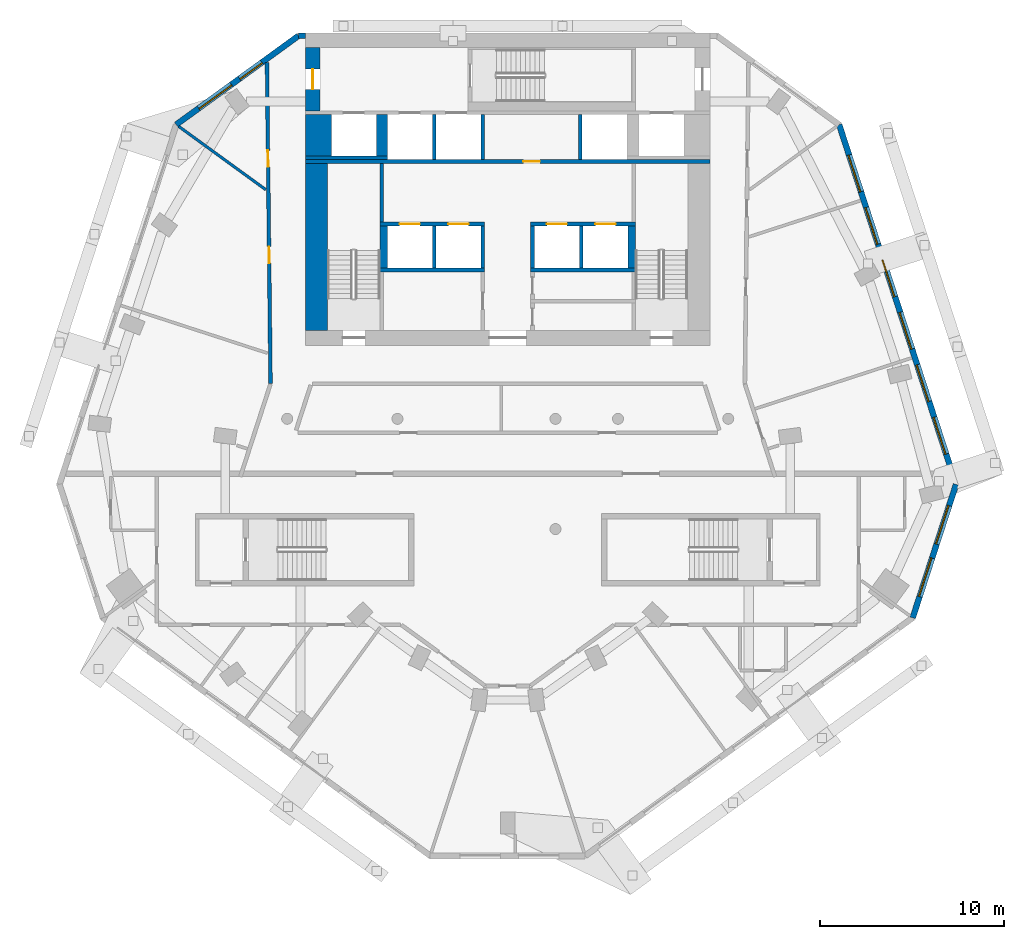
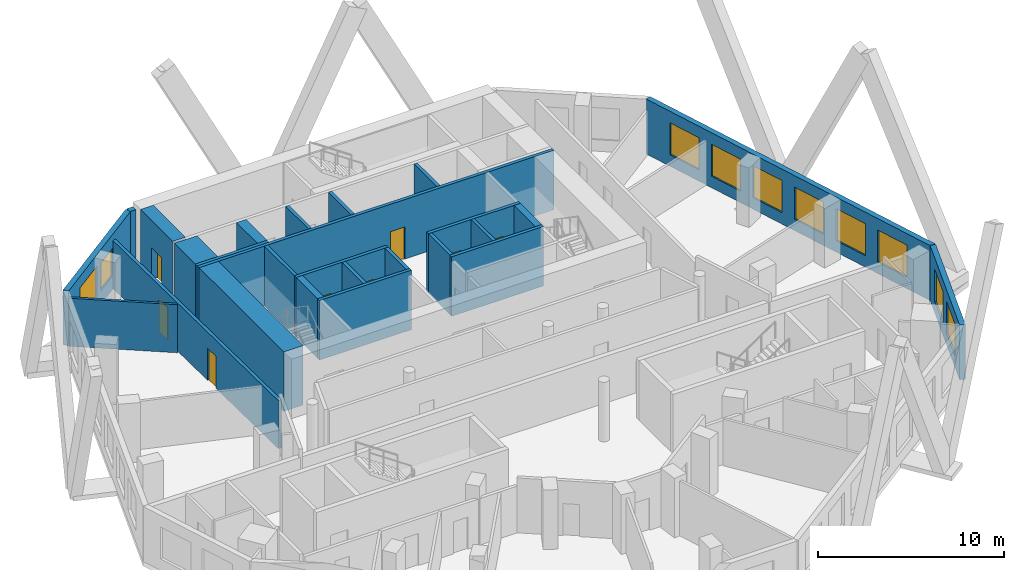
# One storey, part 6 of 10: 26 walls, 10 windows, 8 doors, 18 openings.
"""IFC4 building model written with IfcOpenShell, lengths in metres."""

from ifc_helpers import new_model, si_unit, direction, frame, frame_2d, origin, place, context, subcontext, project, spatial, rectangle, extrude, material, layer, layer_set, type_object, element, fill, save


model = new_model("IFC4")

# Units and contexts
model_context = context("Model", 3, precision=1e-05, world=origin(), true_north=direction((0.0, 1.0)))
body_context = subcontext(model_context, "Body", "Model", "MODEL_VIEW")
ifc_project = project(units=[si_unit("LENGTHUNIT", "METRE"), si_unit("AREAUNIT", "SQUARE_METRE"), si_unit("VOLUMEUNIT", "CUBIC_METRE"), si_unit("PLANEANGLEUNIT", "RADIAN"), si_unit("MASSUNIT", "GRAM", prefix="KILO")], contexts=[model_context])

# Site, building, storey
site_placement = place(None, origin())
site = spatial("IfcSite", under=ifc_project, at=site_placement, CompositionType="ELEMENT")
building_placement = place(site_placement, origin())
building = spatial("IfcBuilding", under=site, at=building_placement, Name="White Candle Pilgrim Tower", CompositionType="ELEMENT")
storey_placement = place(building_placement, frame((0.0, 0.0, 219.89990234375)))
storey = spatial("IfcBuildingStorey", under=building, at=storey_placement, Name="L51", CompositionType="ELEMENT", Elevation=219.89990234375)

# Walls
ifc_material_1 = material(Name="Concrete C50/60", Category="concrete")
ifc_layer_1 = layer(ifc_material_1, 1.39990234375)
ifc_layer_set_1 = layer_set([ifc_layer_1], Name="Core wall 1400 mm Concrete C50/60")
wall_type_1 = type_object("IfcWallType", Name="Core wall 1400 mm Concrete C50/60", PredefinedType="SHEAR", material=ifc_layer_set_1)
wall_1_placement = place(storey_placement, frame((59.699951171875, 81.300048828125, 0.0), z_axis=(0.0, 0.0, 1.0), x_axis=(0.0, 1.0, 0.0)))
element("IfcWall", 1, at=wall_1_placement, inside=storey, type_object=wall_type_1, Name="WL-L51-C39", PredefinedType="SHEAR", context=body_context, shape_type="SweptSolid", body=[
    extrude(rectangle(XDim=2.25, YDim=1.39990234375, at=frame_2d((1.125, 0.0))), origin(), (0.0, 0.0, 1.0), 3.900146484375),
])
ifc_layer_2 = layer(ifc_material_1, 0.199951171875)
ifc_layer_set_2 = layer_set([ifc_layer_2], Name="Core wall 200 mm Concrete C50/60")
wall_type_2 = type_object("IfcWallType", Name="Core wall 200 mm Concrete C50/60", PredefinedType="SHEAR", material=ifc_layer_set_2)
wall_2_placement = place(storey_placement, frame((59.0, 81.199951171875, 0.0), z_axis=(0.0, 0.0, 1.0), x_axis=(1.0, 0.0, 0.0)))
element("IfcWall", 2, at=wall_2_placement, inside=storey, type_object=wall_type_2, Name="WL-L51-C34", PredefinedType="SHEAR", context=body_context, shape_type="SweptSolid", body=[
    extrude(rectangle(XDim=4.449951171875, YDim=0.199951171875, at=frame_2d((2.22509765625, 0.0))), origin(), (0.0, 0.0, 1.0), 3.900146484375),
])

# Wall, opening, door
ifc_layer_3 = layer(ifc_material_1, 0.800048828125)
ifc_layer_set_3 = layer_set([ifc_layer_3], Name="Core wall 800 mm Concrete C50/60")
wall_type_3 = type_object("IfcWallType", Name="Core wall 800 mm Concrete C50/60", PredefinedType="SHEAR", material=ifc_layer_set_3)
wall_3_placement = place(storey_placement, frame((59.39990234375, 83.75, 0.0), z_axis=(0.0, 0.0, 1.0), x_axis=(0.0, 1.0, 0.0)))
wall_3 = element("IfcWall", 3, at=wall_3_placement, inside=storey, type_object=wall_type_3, Name="WL-L51-C44", PredefinedType="SHEAR", context=body_context, shape_type="SweptSolid", body=[
    extrude(rectangle(XDim=3.449951171875, YDim=0.800048828125, at=frame_2d((1.72509765625, 0.0))), origin(), (0.0, 0.0, 1.0), 3.900146484375),
])
opening_1_placement = place(wall_3_placement, frame((1.175048828125, 0.0, 0.0)))
opening_1 = element("IfcOpeningElement", 4, at=opening_1_placement, cuts=wall_3, Name="Opening T16-008", PredefinedType="OPENING", context=body_context, shape_type="SweptSolid", body=[
    extrude(rectangle(XDim=1.10009765625, YDim=2.10009765625, at=frame_2d((0.550048828125, 1.050048828125))), frame((0.0, 0.409912109375, 0.0), z_axis=(0.0, -1.0, 0.0), x_axis=(1.0, 0.0, 0.0)), (0.0, 0.0, 1.0), 0.820068359375),
])
ifc_material_2 = material(Name="Steel door leaf", Category="steel")
door_type_1 = type_object("IfcDoorType", Name="Fire door 1100 x 2100 EI 60", OperationType="NOTDEFINED", PredefinedType="DOOR", material=ifc_material_2)
door_1_placement = place(opening_1_placement, origin())
door_1 = element("IfcDoor", 5, at=door_1_placement, inside=storey, type_object=door_type_1, Name="Door T16-008", OperationType="SINGLE_SWING_RIGHT", OverallHeight=2.10009765625, OverallWidth=1.10009765625, PredefinedType="DOOR", context=body_context, shape_type="SweptSolid", body=[
    extrude(rectangle(XDim=1.10009765625, YDim=2.10009765625, at=frame_2d((0.550048828125, 1.050048828125))), frame((0.0, 0.02490234375, 0.0), z_axis=(0.0, -1.0, 0.0), x_axis=(1.0, 0.0, 0.0)), (0.0, 0.0, 1.0), 0.050048828125),
])
fill(opening_1, door_1)

# Wall, openings, doors
ifc_material_3 = material(Name="Gypsum board on steel studs", Category="steel")
ifc_layer_4 = layer(ifc_material_3, 0.199951171875)
ifc_layer_set_4 = layer_set([ifc_layer_4], Name="Corridor wall 200 mm EI 45")
wall_type_4 = type_object("IfcWallType", Name="Corridor wall 200 mm EI 45", PredefinedType="PARTITIONING", material=ifc_layer_set_4)
wall_4_placement = place(storey_placement, frame((57.094970703125, 68.91650390625, 0.0), z_axis=(0.0, 0.0, 1.0), x_axis=(-0.011158990621, 0.999937736526, 0.0)))
wall_4 = element("IfcWall", 6, at=wall_4_placement, inside=storey, type_object=wall_type_4, Name="WL-L51-P003", PredefinedType="PARTITIONING", context=body_context, shape_type="SweptSolid", body=[
    extrude(rectangle(XDim=17.480712890625, YDim=0.199951171875, at=frame_2d((8.740234375, 0.0))), origin(), (0.0, 0.0, 1.0), 3.150146484375),
])
opening_2_placement = place(wall_4_placement, frame((6.55224609375, 0.0, 0.0)))
opening_2 = element("IfcOpeningElement", 7, at=opening_2_placement, cuts=wall_4, Name="Opening T16-118", PredefinedType="OPENING", context=body_context, shape_type="SweptSolid", body=[
    extrude(rectangle(XDim=0.89990234375, YDim=2.10009765625, at=frame_2d((0.449951171875, 1.050048828125))), frame((0.0, 0.10986328125, 0.0), z_axis=(0.0, -1.0, 0.0), x_axis=(1.0, 0.0, 0.0)), (0.0, 0.0, 1.0), 0.219970703125),
])
opening_3_placement = place(wall_4_placement, frame((11.78662109375, 0.0, 0.0)))
opening_3 = element("IfcOpeningElement", 8, at=opening_3_placement, cuts=wall_4, Name="Opening T16-119", PredefinedType="OPENING", context=body_context, shape_type="SweptSolid", body=[
    extrude(rectangle(XDim=0.89990234375, YDim=2.10009765625, at=frame_2d((0.449951171875, 1.050048828125))), frame((0.0, 0.10986328125, 0.0), z_axis=(0.0, -1.0, 0.0), x_axis=(1.0, 0.0, 0.0)), (0.0, 0.0, 1.0), 0.219970703125),
])
door_type_2 = type_object("IfcDoorType", Name="Fire door 900 x 2100 EI 30", OperationType="NOTDEFINED", PredefinedType="DOOR", material=ifc_material_2)
door_2_placement = place(opening_2_placement, origin())
door_2 = element("IfcDoor", 9, at=door_2_placement, inside=storey, type_object=door_type_2, Name="Door T16-118", OperationType="SINGLE_SWING_RIGHT", OverallHeight=2.10009765625, OverallWidth=0.89990234375, PredefinedType="DOOR", context=body_context, shape_type="SweptSolid", body=[
    extrude(rectangle(XDim=0.89990234375, YDim=2.10009765625, at=frame_2d((0.449951171875, 1.050048828125))), frame((0.0, 0.02490234375, 0.0), z_axis=(0.0, -1.0, 0.0), x_axis=(1.0, 0.0, 0.0)), (0.0, 0.0, 1.0), 0.050048828125),
])
fill(opening_2, door_2)
door_3_placement = place(opening_3_placement, origin())
door_3 = element("IfcDoor", 10, at=door_3_placement, inside=storey, type_object=door_type_2, Name="Door T16-119", OperationType="SINGLE_SWING_LEFT", OverallHeight=2.10009765625, OverallWidth=0.89990234375, PredefinedType="DOOR", context=body_context, shape_type="SweptSolid", body=[
    extrude(rectangle(XDim=0.89990234375, YDim=2.10009765625, at=frame_2d((0.449951171875, 1.050048828125))), frame((0.0, 0.02490234375, 0.0), z_axis=(0.0, -1.0, 0.0), x_axis=(1.0, 0.0, 0.0)), (0.0, 0.0, 1.0), 0.050048828125),
])
fill(opening_3, door_3)

# Wall, openings, windows
ifc_material_4 = material(Name="Precast concrete C40/50", Category="concrete")
ifc_layer_5 = layer(ifc_material_4, 0.320068359375)
ifc_layer_set_5 = layer_set([ifc_layer_5], Name="Facade wall EW1 precast concrete C40/50 pier wall with timber-lined reveals")
wall_type_5 = type_object("IfcWallType", Name="Facade wall EW1 precast concrete C40/50 pier wall with timber-lined reveals", PredefinedType="SOLIDWALL", material=ifc_layer_set_5)
wall_5_placement = place(storey_placement, frame((92.036865234375, 56.167724609375, 0.0), z_axis=(0.0, 0.0, 1.0), x_axis=(0.308997893913, 0.951062722199, 0.0)))
wall_5 = element("IfcWall", 11, at=wall_5_placement, inside=storey, type_object=wall_type_5, Name="Facade wall L51 E chamfer", PredefinedType="SOLIDWALL", context=body_context, shape_type="SweptSolid", body=[
    extrude(rectangle(XDim=7.637939453125, YDim=0.320068359375, at=frame_2d((3.81884765625, 0.0))), origin(), (0.0, 0.0, 1.0), 3.60009765625),
])
opening_4_placement = place(wall_5_placement, frame((1.218994140625, 0.0, 0.75)))
opening_4 = element("IfcOpeningElement", 12, at=opening_4_placement, cuts=wall_5, Name="Opening W4", PredefinedType="OPENING", context=body_context, shape_type="SweptSolid", body=[
    extrude(rectangle(XDim=2.199951171875, YDim=2.10009765625, at=frame_2d((1.10009765625, 1.050048828125))), frame((0.0, 0.169921875, 0.0), z_axis=(0.0, -1.0, 0.0), x_axis=(1.0, 0.0, 0.0)), (0.0, 0.0, 1.0), 0.340087890625),
])
opening_5_placement = place(wall_5_placement, frame((4.218994140625, 0.0, 0.75)))
opening_5 = element("IfcOpeningElement", 13, at=opening_5_placement, cuts=wall_5, Name="Opening W4", PredefinedType="OPENING", context=body_context, shape_type="SweptSolid", body=[
    extrude(rectangle(XDim=2.199951171875, YDim=2.10009765625, at=frame_2d((1.10009765625, 1.050048828125))), frame((0.0, 0.169921875, 0.0), z_axis=(0.0, -1.0, 0.0), x_axis=(1.0, 0.0, 0.0)), (0.0, 0.0, 1.0), 0.340087890625),
])
ifc_material_5 = material(Name="Timber frame with triple glazing", Category="wood")
window_type_1 = type_object("IfcWindowType", Name="Window W4 2200x2100 timber frame triple glazing", PartitioningType="SINGLE_PANEL", PredefinedType="WINDOW", material=ifc_material_5)
window_1_placement = place(opening_4_placement, origin())
window_1 = element("IfcWindow", 14, at=window_1_placement, inside=storey, type_object=window_type_1, Name="Window W4 L51 E chamfer 1", OverallHeight=2.10009765625, OverallWidth=2.199951171875, PartitioningType="SINGLE_PANEL", PredefinedType="WINDOW", context=body_context, shape_type="SweptSolid", body=[
    extrude(rectangle(XDim=2.199951171875, YDim=2.10009765625, at=frame_2d((1.10009765625, 1.050048828125))), frame((0.0, 0.070068359375, 0.0), z_axis=(0.0, -1.0, 0.0), x_axis=(1.0, 0.0, 0.0)), (0.0, 0.0, 1.0), 0.06005859375),
])
fill(opening_4, window_1)
window_2_placement = place(opening_5_placement, origin())
window_2 = element("IfcWindow", 15, at=window_2_placement, inside=storey, type_object=window_type_1, Name="Window W4 L51 E chamfer 2", OverallHeight=2.10009765625, OverallWidth=2.199951171875, PartitioningType="SINGLE_PANEL", PredefinedType="WINDOW", context=body_context, shape_type="SweptSolid", body=[
    extrude(rectangle(XDim=2.199951171875, YDim=2.10009765625, at=frame_2d((1.10009765625, 1.050048828125))), frame((0.0, 0.070068359375, 0.0), z_axis=(0.0, -1.0, 0.0), x_axis=(1.0, 0.0, 0.0)), (0.0, 0.0, 1.0), 0.06005859375),
])
fill(opening_5, window_2)

wall_6_placement = place(storey_placement, frame((94.39697265625, 63.431884765625, 0.0), z_axis=(0.0, 0.0, 1.0), x_axis=(-0.309012851328, 0.951057862443, 0.0)))
wall_6 = element("IfcWall", 16, at=wall_6_placement, inside=storey, type_object=wall_type_5, Name="Facade wall L51 ENE", PredefinedType="SOLIDWALL", context=body_context, shape_type="SweptSolid", body=[
    extrude(rectangle(XDim=20.582763671875, YDim=0.320068359375, at=frame_2d((10.29150390625, 0.0))), origin(), (0.0, 0.0, 1.0), 3.60009765625),
])
opening_6_placement = place(wall_6_placement, frame((1.741455078125, 0.0, 0.75)))
opening_6 = element("IfcOpeningElement", 17, at=opening_6_placement, cuts=wall_6, Name="Opening W3", PredefinedType="OPENING", context=body_context, shape_type="SweptSolid", body=[
    extrude(rectangle(XDim=2.10009765625, YDim=2.10009765625, at=frame_2d((1.050048828125, 1.050048828125))), frame((0.0, 0.169921875, 0.0), z_axis=(0.0, -1.0, 0.0), x_axis=(1.0, 0.0, 0.0)), (0.0, 0.0, 1.0), 0.340087890625),
])
opening_7_placement = place(wall_6_placement, frame((4.741455078125, 0.0, 0.75)))
opening_7 = element("IfcOpeningElement", 18, at=opening_7_placement, cuts=wall_6, Name="Opening W3", PredefinedType="OPENING", context=body_context, shape_type="SweptSolid", body=[
    extrude(rectangle(XDim=2.10009765625, YDim=2.10009765625, at=frame_2d((1.050048828125, 1.050048828125))), frame((0.0, 0.169921875, 0.0), z_axis=(0.0, -1.0, 0.0), x_axis=(1.0, 0.0, 0.0)), (0.0, 0.0, 1.0), 0.340087890625),
])
opening_8_placement = place(wall_6_placement, frame((7.741455078125, 0.0, 0.75)))
opening_8 = element("IfcOpeningElement", 19, at=opening_8_placement, cuts=wall_6, Name="Opening W3", PredefinedType="OPENING", context=body_context, shape_type="SweptSolid", body=[
    extrude(rectangle(XDim=2.10009765625, YDim=2.10009765625, at=frame_2d((1.050048828125, 1.050048828125))), frame((0.0, 0.169921875, 0.0), z_axis=(0.0, -1.0, 0.0), x_axis=(1.0, 0.0, 0.0)), (0.0, 0.0, 1.0), 0.340087890625),
])
opening_9_placement = place(wall_6_placement, frame((10.741455078125, 0.0, 0.75)))
opening_9 = element("IfcOpeningElement", 20, at=opening_9_placement, cuts=wall_6, Name="Opening W3", PredefinedType="OPENING", context=body_context, shape_type="SweptSolid", body=[
    extrude(rectangle(XDim=2.10009765625, YDim=2.10009765625, at=frame_2d((1.050048828125, 1.050048828125))), frame((0.0, 0.169921875, 0.0), z_axis=(0.0, -1.0, 0.0), x_axis=(1.0, 0.0, 0.0)), (0.0, 0.0, 1.0), 0.340087890625),
])
opening_10_placement = place(wall_6_placement, frame((13.741455078125, 0.0, 0.75)))
opening_10 = element("IfcOpeningElement", 21, at=opening_10_placement, cuts=wall_6, Name="Opening W3", PredefinedType="OPENING", context=body_context, shape_type="SweptSolid", body=[
    extrude(rectangle(XDim=2.10009765625, YDim=2.10009765625, at=frame_2d((1.050048828125, 1.050048828125))), frame((0.0, 0.169921875, 0.0), z_axis=(0.0, -1.0, 0.0), x_axis=(1.0, 0.0, 0.0)), (0.0, 0.0, 1.0), 0.340087890625),
])
opening_11_placement = place(wall_6_placement, frame((16.741455078125, 0.0, 0.75)))
opening_11 = element("IfcOpeningElement", 22, at=opening_11_placement, cuts=wall_6, Name="Opening W3", PredefinedType="OPENING", context=body_context, shape_type="SweptSolid", body=[
    extrude(rectangle(XDim=2.10009765625, YDim=2.10009765625, at=frame_2d((1.050048828125, 1.050048828125))), frame((0.0, 0.169921875, 0.0), z_axis=(0.0, -1.0, 0.0), x_axis=(1.0, 0.0, 0.0)), (0.0, 0.0, 1.0), 0.340087890625),
])
window_type_2 = type_object("IfcWindowType", Name="Window W3 2100x2100 timber frame triple glazing", PartitioningType="SINGLE_PANEL", PredefinedType="WINDOW", material=ifc_material_5)
window_3_placement = place(opening_6_placement, origin())
window_3 = element("IfcWindow", 23, at=window_3_placement, inside=storey, type_object=window_type_2, Name="Window W3 L51 ENE 1", OverallHeight=2.10009765625, OverallWidth=2.10009765625, PartitioningType="SINGLE_PANEL", PredefinedType="WINDOW", context=body_context, shape_type="SweptSolid", body=[
    extrude(rectangle(XDim=2.10009765625, YDim=2.10009765625, at=frame_2d((1.050048828125, 1.050048828125))), frame((0.0, 0.070068359375, 0.0), z_axis=(0.0, -1.0, 0.0), x_axis=(1.0, 0.0, 0.0)), (0.0, 0.0, 1.0), 0.06005859375),
])
fill(opening_6, window_3)
window_4_placement = place(opening_7_placement, origin())
window_4 = element("IfcWindow", 24, at=window_4_placement, inside=storey, type_object=window_type_2, Name="Window W3 L51 ENE 2", OverallHeight=2.10009765625, OverallWidth=2.10009765625, PartitioningType="SINGLE_PANEL", PredefinedType="WINDOW", context=body_context, shape_type="SweptSolid", body=[
    extrude(rectangle(XDim=2.10009765625, YDim=2.10009765625, at=frame_2d((1.050048828125, 1.050048828125))), frame((0.0, 0.070068359375, 0.0), z_axis=(0.0, -1.0, 0.0), x_axis=(1.0, 0.0, 0.0)), (0.0, 0.0, 1.0), 0.06005859375),
])
fill(opening_7, window_4)
window_5_placement = place(opening_8_placement, origin())
window_5 = element("IfcWindow", 25, at=window_5_placement, inside=storey, type_object=window_type_2, Name="Window W3 L51 ENE 3", OverallHeight=2.10009765625, OverallWidth=2.10009765625, PartitioningType="SINGLE_PANEL", PredefinedType="WINDOW", context=body_context, shape_type="SweptSolid", body=[
    extrude(rectangle(XDim=2.10009765625, YDim=2.10009765625, at=frame_2d((1.050048828125, 1.050048828125))), frame((0.0, 0.070068359375, 0.0), z_axis=(0.0, -1.0, 0.0), x_axis=(1.0, 0.0, 0.0)), (0.0, 0.0, 1.0), 0.06005859375),
])
fill(opening_8, window_5)
window_6_placement = place(opening_9_placement, origin())
window_6 = element("IfcWindow", 26, at=window_6_placement, inside=storey, type_object=window_type_2, Name="Window W3 L51 ENE 4", OverallHeight=2.10009765625, OverallWidth=2.10009765625, PartitioningType="SINGLE_PANEL", PredefinedType="WINDOW", context=body_context, shape_type="SweptSolid", body=[
    extrude(rectangle(XDim=2.10009765625, YDim=2.10009765625, at=frame_2d((1.050048828125, 1.050048828125))), frame((0.0, 0.070068359375, 0.0), z_axis=(0.0, -1.0, 0.0), x_axis=(1.0, 0.0, 0.0)), (0.0, 0.0, 1.0), 0.06005859375),
])
fill(opening_9, window_6)
window_7_placement = place(opening_10_placement, origin())
window_7 = element("IfcWindow", 27, at=window_7_placement, inside=storey, type_object=window_type_2, Name="Window W3 L51 ENE 5", OverallHeight=2.10009765625, OverallWidth=2.10009765625, PartitioningType="SINGLE_PANEL", PredefinedType="WINDOW", context=body_context, shape_type="SweptSolid", body=[
    extrude(rectangle(XDim=2.10009765625, YDim=2.10009765625, at=frame_2d((1.050048828125, 1.050048828125))), frame((0.0, 0.070068359375, 0.0), z_axis=(0.0, -1.0, 0.0), x_axis=(1.0, 0.0, 0.0)), (0.0, 0.0, 1.0), 0.06005859375),
])
fill(opening_10, window_7)
window_8_placement = place(opening_11_placement, origin())
window_8 = element("IfcWindow", 28, at=window_8_placement, inside=storey, type_object=window_type_2, Name="Window W3 L51 ENE 6", OverallHeight=2.10009765625, OverallWidth=2.10009765625, PartitioningType="SINGLE_PANEL", PredefinedType="WINDOW", context=body_context, shape_type="SweptSolid", body=[
    extrude(rectangle(XDim=2.10009765625, YDim=2.10009765625, at=frame_2d((1.050048828125, 1.050048828125))), frame((0.0, 0.070068359375, 0.0), z_axis=(0.0, -1.0, 0.0), x_axis=(1.0, 0.0, 0.0)), (0.0, 0.0, 1.0), 0.06005859375),
])
fill(opening_11, window_8)

# Wall
wall_7_placement = place(storey_placement, frame((59.0, 87.840087890625, 0.0), z_axis=(0.0, 0.0, 1.0), x_axis=(-1.0, 0.0, 0.0)))
element("IfcWall", 29, at=wall_7_placement, inside=storey, type_object=wall_type_5, Name="Facade wall L51 N", PredefinedType="SOLIDWALL", context=body_context, shape_type="SweptSolid", body=[
    extrude(rectangle(XDim=0.385009765625, YDim=0.320068359375, at=frame_2d((0.1923828125, 0.0))), origin(), (0.0, 0.0, 1.0), 3.60009765625),
])

# Wall, openings, windows
wall_8_placement = place(storey_placement, frame((58.614990234375, 87.840087890625, 0.0), z_axis=(0.0, 0.0, 1.0), x_axis=(-0.809012068833, -0.587792031659, 0.0)))
wall_8 = element("IfcWall", 30, at=wall_8_placement, inside=storey, type_object=wall_type_5, Name="Facade wall L51 NW chamfer", PredefinedType="SOLIDWALL", context=body_context, shape_type="SweptSolid", body=[
    extrude(rectangle(XDim=8.221923828125, YDim=0.320068359375, at=frame_2d((4.11083984375, 0.0))), origin(), (0.0, 0.0, 1.0), 3.60009765625),
])
opening_12_placement = place(wall_8_placement, frame((2.459716796875, 0.0, 0.89990234375)))
opening_12 = element("IfcOpeningElement", 31, at=opening_12_placement, cuts=wall_8, Name="Opening W1", PredefinedType="OPENING", context=body_context, shape_type="SweptSolid", body=[
    extrude(rectangle(XDim=1.5, YDim=1.800048828125, at=frame_2d((0.75, 0.89990234375))), frame((0.0, 0.169921875, 0.0), z_axis=(0.0, -1.0, 0.0), x_axis=(1.0, 0.0, 0.0)), (0.0, 0.0, 1.0), 0.340087890625),
])
opening_13_placement = place(wall_8_placement, frame((4.510986328125, 0.0, 0.75)))
opening_13 = element("IfcOpeningElement", 32, at=opening_13_placement, cuts=wall_8, Name="Opening W4", PredefinedType="OPENING", context=body_context, shape_type="SweptSolid", body=[
    extrude(rectangle(XDim=2.199951171875, YDim=2.10009765625, at=frame_2d((1.10009765625, 1.050048828125))), frame((0.0, 0.169921875, 0.0), z_axis=(0.0, -1.0, 0.0), x_axis=(1.0, 0.0, 0.0)), (0.0, 0.0, 1.0), 0.340087890625),
])
window_type_3 = type_object("IfcWindowType", Name="Window W1 1500x1800 timber frame triple glazing", PartitioningType="SINGLE_PANEL", PredefinedType="WINDOW", material=ifc_material_5)
window_9_placement = place(opening_12_placement, origin())
window_9 = element("IfcWindow", 33, at=window_9_placement, inside=storey, type_object=window_type_3, Name="Window W1 L51 NW chamfer 1", OverallHeight=1.800048828125, OverallWidth=1.5, PartitioningType="SINGLE_PANEL", PredefinedType="WINDOW", context=body_context, shape_type="SweptSolid", body=[
    extrude(rectangle(XDim=1.5, YDim=1.800048828125, at=frame_2d((0.75, 0.89990234375))), frame((0.0, 0.070068359375, 0.0), z_axis=(0.0, -1.0, 0.0), x_axis=(1.0, 0.0, 0.0)), (0.0, 0.0, 1.0), 0.06005859375),
])
fill(opening_12, window_9)
window_10_placement = place(opening_13_placement, origin())
window_10 = element("IfcWindow", 34, at=window_10_placement, inside=storey, type_object=window_type_1, Name="Window W4 L51 NW chamfer 2", OverallHeight=2.10009765625, OverallWidth=2.199951171875, PartitioningType="SINGLE_PANEL", PredefinedType="WINDOW", context=body_context, shape_type="SweptSolid", body=[
    extrude(rectangle(XDim=2.199951171875, YDim=2.10009765625, at=frame_2d((1.10009765625, 1.050048828125))), frame((0.0, 0.070068359375, 0.0), z_axis=(0.0, -1.0, 0.0), x_axis=(1.0, 0.0, 0.0)), (0.0, 0.0, 1.0), 0.06005859375),
])
fill(opening_13, window_10)

# Walls
ifc_layer_6 = layer(ifc_material_3, 0.14990234375)
ifc_layer_set_6 = layer_set([ifc_layer_6], Name="Partition 150 mm EI 60")
wall_type_6 = type_object("IfcWallType", Name="Partition 150 mm EI 60", PredefinedType="PARTITIONING", material=ifc_layer_set_6)
wall_9_placement = place(storey_placement, frame((52.099609375, 82.908447265625, 0.0), z_axis=(0.0, 0.0, 1.0), x_axis=(0.80901210161, -0.587791986546, 0.0)))
element("IfcWall", 35, at=wall_9_placement, inside=storey, type_object=wall_type_6, Name="WL-L51-P017", PredefinedType="PARTITIONING", context=body_context, shape_type="SweptSolid", body=[
    extrude(rectangle(XDim=5.850341796875, YDim=0.14990234375, at=frame_2d((2.92529296875, 0.0))), origin(), (0.0, 0.0, 1.0), 3.150146484375),
])
ifc_layer_7 = layer(ifc_material_1, 0.199951171875)
ifc_layer_set_7 = layer_set([ifc_layer_7], Name="Shaft wall 200 mm Concrete C50/60")
wall_type_7 = type_object("IfcWallType", Name="Shaft wall 200 mm Concrete C50/60", PredefinedType="SHEAR", material=ifc_layer_set_7)
for number, where, z_axis, x_axis, name in (
    (36, (66.0, 75.199951171875, 0.0), (0.0, 0.0, 1.0), (0.0, 1.0, 0.0), "WL-L51-C24"),
    (37, (68.64990234375, 75.199951171875, 0.0), (0.0, 0.0, 1.0), (0.0, 1.0, 0.0), "WL-L51-C25"),
    (38, (71.35009765625, 75.199951171875, 0.0), (0.0, 0.0, 1.0), (0.0, 1.0, 0.0), "WL-L51-C26"),
    (39, (74.0, 75.199951171875, 0.0), (0.0, 0.0, 1.0), (0.0, 1.0, 0.0), "WL-L51-C27"),
):
    element("IfcWall", number, at=place(storey_placement, frame(where, z_axis=z_axis, x_axis=x_axis)), inside=storey, type_object=wall_type_7, Name=name, PredefinedType="SHEAR", context=body_context, shape_type="SweptSolid", body=[
        extrude(rectangle(XDim=2.300048828125, YDim=0.199951171875, at=frame_2d((1.14990234375, 0.0))), origin(), (0.0, 0.0, 1.0), 3.900146484375),
    ])
for number, where, z_axis, x_axis, name in (
    (40, (66.0, 81.10009765625, 0.0), (0.0, 0.0, 1.0), (0.0, 1.0, 0.0), "WL-L51-C35"),
    (41, (68.64990234375, 81.10009765625, 0.0), (0.0, 0.0, 1.0), (0.0, 1.0, 0.0), "WL-L51-C36"),
    (42, (73.949951171875, 81.10009765625, 0.0), (0.0, 0.0, 1.0), (0.0, 1.0, 0.0), "WL-L51-C37"),
):
    element("IfcWall", number, at=place(storey_placement, frame(where, z_axis=z_axis, x_axis=x_axis)), inside=storey, type_object=wall_type_7, Name=name, PredefinedType="SHEAR", context=body_context, shape_type="SweptSolid", body=[
        extrude(rectangle(XDim=2.449951171875, YDim=0.199951171875, at=frame_2d((1.22509765625, 0.0))), origin(), (0.0, 0.0, 1.0), 3.900146484375),
    ])
ifc_layer_8 = layer(ifc_material_1, 0.60009765625)
ifc_layer_set_8 = layer_set([ifc_layer_8], Name="Shaft wall 600 mm Concrete C50/60")
wall_type_8 = type_object("IfcWallType", Name="Shaft wall 600 mm Concrete C50/60", PredefinedType="SHEAR", material=ifc_layer_set_8)
wall_10_placement = place(storey_placement, frame((63.14990234375, 81.300048828125, 0.0), z_axis=(0.0, 0.0, 1.0), x_axis=(0.0, 1.0, 0.0)))
element("IfcWall", 43, at=wall_10_placement, inside=storey, type_object=wall_type_8, Name="WL-L51-C40", PredefinedType="SHEAR", context=body_context, shape_type="SweptSolid", body=[
    extrude(rectangle(XDim=2.25, YDim=0.60009765625, at=frame_2d((1.125, 0.0))), origin(), (0.0, 0.0, 1.0), 3.900146484375),
])
ifc_layer_9 = layer(ifc_material_1, 1.199951171875)
ifc_layer_set_9 = layer_set([ifc_layer_9], Name="Stair shaft wall 1200 mm Concrete C50/60")
wall_type_9 = type_object("IfcWallType", Name="Stair shaft wall 1200 mm Concrete C50/60", PredefinedType="SHEAR", material=ifc_layer_set_9)
wall_11_placement = place(storey_placement, frame((59.60009765625, 71.800048828125, 0.0), z_axis=(0.0, 0.0, 1.0), x_axis=(0.0, 1.0, 0.0)))
element("IfcWall", 44, at=wall_11_placement, inside=storey, type_object=wall_type_9, Name="WL-L51-C12", PredefinedType="SHEAR", context=body_context, shape_type="SweptSolid", body=[
    extrude(rectangle(XDim=9.099853515625, YDim=1.199951171875, at=frame_2d((4.5498046875, 0.0))), origin(), (0.0, 0.0, 1.0), 3.900146484375),
])
ifc_layer_10 = layer(ifc_material_1, 0.199951171875)
ifc_layer_set_10 = layer_set([ifc_layer_10], Name="Stair shaft wall 200 mm Concrete C50/60")
wall_type_10 = type_object("IfcWallType", Name="Stair shaft wall 200 mm Concrete C50/60", PredefinedType="SHEAR", material=ifc_layer_set_10)
for number, where, z_axis, x_axis, name in (
    (45, (63.050048828125, 75.10009765625, 0.0), (0.0, 0.0, 1.0), (1.0, 0.0, 0.0), "WL-L51-C21"),
    (46, (71.25, 75.10009765625, 0.0), (0.0, 0.0, 1.0), (1.0, 0.0, 0.0), "WL-L51-C22"),
):
    element("IfcWall", number, at=place(storey_placement, frame(where, z_axis=z_axis, x_axis=x_axis)), inside=storey, type_object=wall_type_10, Name=name, PredefinedType="SHEAR", context=body_context, shape_type="SweptSolid", body=[
        extrude(rectangle(XDim=5.699951171875, YDim=0.199951171875, at=frame_2d((2.85009765625, 0.0))), origin(), (0.0, 0.0, 1.0), 3.900146484375),
    ])

# Wall, openings, doors
wall_12_placement = place(storey_placement, frame((63.050048828125, 77.60009765625, 0.0), z_axis=(0.0, 0.0, 1.0), x_axis=(1.0, 0.0, 0.0)))
wall_12 = element("IfcWall", 47, at=wall_12_placement, inside=storey, type_object=wall_type_10, Name="WL-L51-C29", PredefinedType="SHEAR", context=body_context, shape_type="SweptSolid", body=[
    extrude(rectangle(XDim=5.699951171875, YDim=0.199951171875, at=frame_2d((2.85009765625, 0.0))), origin(), (0.0, 0.0, 1.0), 3.900146484375),
])
opening_14_placement = place(wall_12_placement, frame((1.074951171875, 0.0, 0.0)))
opening_14 = element("IfcOpeningElement", 48, at=opening_14_placement, cuts=wall_12, Name="Opening T16-014", PredefinedType="OPENING", context=body_context, shape_type="SweptSolid", body=[
    extrude(rectangle(XDim=1.10009765625, YDim=2.10009765625, at=frame_2d((0.550048828125, 1.050048828125))), frame((0.0, 0.10986328125, 0.0), z_axis=(0.0, -1.0, 0.0), x_axis=(1.0, 0.0, 0.0)), (0.0, 0.0, 1.0), 0.219970703125),
])
opening_15_placement = place(wall_12_placement, frame((3.72509765625, 0.0, 0.0)))
opening_15 = element("IfcOpeningElement", 49, at=opening_15_placement, cuts=wall_12, Name="Opening T16-015", PredefinedType="OPENING", context=body_context, shape_type="SweptSolid", body=[
    extrude(rectangle(XDim=1.10009765625, YDim=2.10009765625, at=frame_2d((0.550048828125, 1.050048828125))), frame((0.0, 0.10986328125, 0.0), z_axis=(0.0, -1.0, 0.0), x_axis=(1.0, 0.0, 0.0)), (0.0, 0.0, 1.0), 0.219970703125),
])
ifc_material_6 = material(Name="Stainless steel", Category="steel")
door_type_3 = type_object("IfcDoorType", Name="Lift landing door 1100 x 2100 E 60", OperationType="DOUBLE_DOOR_SLIDING", PredefinedType="DOOR", material=ifc_material_6)
door_4_placement = place(opening_14_placement, origin())
door_4 = element("IfcDoor", 50, at=door_4_placement, inside=storey, type_object=door_type_3, Name="Door T16-014", OperationType="DOUBLE_DOOR_SLIDING", OverallHeight=2.10009765625, OverallWidth=1.10009765625, PredefinedType="DOOR", context=body_context, shape_type="SweptSolid", body=[
    extrude(rectangle(XDim=1.10009765625, YDim=2.10009765625, at=frame_2d((0.550048828125, 1.050048828125))), frame((0.0, 0.02490234375, 0.0), z_axis=(0.0, -1.0, 0.0), x_axis=(1.0, 0.0, 0.0)), (0.0, 0.0, 1.0), 0.050048828125),
])
fill(opening_14, door_4)
door_5_placement = place(opening_15_placement, origin())
door_5 = element("IfcDoor", 51, at=door_5_placement, inside=storey, type_object=door_type_3, Name="Door T16-015", OperationType="DOUBLE_DOOR_SLIDING", OverallHeight=2.10009765625, OverallWidth=1.10009765625, PredefinedType="DOOR", context=body_context, shape_type="SweptSolid", body=[
    extrude(rectangle(XDim=1.10009765625, YDim=2.10009765625, at=frame_2d((0.550048828125, 1.050048828125))), frame((0.0, 0.02490234375, 0.0), z_axis=(0.0, -1.0, 0.0), x_axis=(1.0, 0.0, 0.0)), (0.0, 0.0, 1.0), 0.050048828125),
])
fill(opening_15, door_5)

wall_13_placement = place(storey_placement, frame((71.25, 77.60009765625, 0.0), z_axis=(0.0, 0.0, 1.0), x_axis=(1.0, 0.0, 0.0)))
wall_13 = element("IfcWall", 52, at=wall_13_placement, inside=storey, type_object=wall_type_10, Name="WL-L51-C30", PredefinedType="SHEAR", context=body_context, shape_type="SweptSolid", body=[
    extrude(rectangle(XDim=5.699951171875, YDim=0.199951171875, at=frame_2d((2.85009765625, 0.0))), origin(), (0.0, 0.0, 1.0), 3.900146484375),
])
opening_16_placement = place(wall_13_placement, frame((0.875, 0.0, 0.0)))
opening_16 = element("IfcOpeningElement", 53, at=opening_16_placement, cuts=wall_13, Name="Opening T16-016", PredefinedType="OPENING", context=body_context, shape_type="SweptSolid", body=[
    extrude(rectangle(XDim=1.10009765625, YDim=2.10009765625, at=frame_2d((0.550048828125, 1.050048828125))), frame((0.0, 0.10986328125, 0.0), z_axis=(0.0, -1.0, 0.0), x_axis=(1.0, 0.0, 0.0)), (0.0, 0.0, 1.0), 0.219970703125),
])
opening_17_placement = place(wall_13_placement, frame((3.52490234375, 0.0, 0.0)))
opening_17 = element("IfcOpeningElement", 54, at=opening_17_placement, cuts=wall_13, Name="Opening T16-017", PredefinedType="OPENING", context=body_context, shape_type="SweptSolid", body=[
    extrude(rectangle(XDim=1.10009765625, YDim=2.10009765625, at=frame_2d((0.550048828125, 1.050048828125))), frame((0.0, 0.10986328125, 0.0), z_axis=(0.0, -1.0, 0.0), x_axis=(1.0, 0.0, 0.0)), (0.0, 0.0, 1.0), 0.219970703125),
])
door_6_placement = place(opening_16_placement, origin())
door_6 = element("IfcDoor", 55, at=door_6_placement, inside=storey, type_object=door_type_3, Name="Door T16-016", OperationType="DOUBLE_DOOR_SLIDING", OverallHeight=2.10009765625, OverallWidth=1.10009765625, PredefinedType="DOOR", context=body_context, shape_type="SweptSolid", body=[
    extrude(rectangle(XDim=1.10009765625, YDim=2.10009765625, at=frame_2d((0.550048828125, 1.050048828125))), frame((0.0, 0.02490234375, 0.0), z_axis=(0.0, -1.0, 0.0), x_axis=(1.0, 0.0, 0.0)), (0.0, 0.0, 1.0), 0.050048828125),
])
fill(opening_16, door_6)
door_7_placement = place(opening_17_placement, origin())
door_7 = element("IfcDoor", 56, at=door_7_placement, inside=storey, type_object=door_type_3, Name="Door T16-017", OperationType="DOUBLE_DOOR_SLIDING", OverallHeight=2.10009765625, OverallWidth=1.10009765625, PredefinedType="DOOR", context=body_context, shape_type="SweptSolid", body=[
    extrude(rectangle(XDim=1.10009765625, YDim=2.10009765625, at=frame_2d((0.550048828125, 1.050048828125))), frame((0.0, 0.02490234375, 0.0), z_axis=(0.0, -1.0, 0.0), x_axis=(1.0, 0.0, 0.0)), (0.0, 0.0, 1.0), 0.050048828125),
])
fill(opening_17, door_7)

# Wall
wall_14_placement = place(storey_placement, frame((63.14990234375, 77.699951171875, 0.0), z_axis=(0.0, 0.0, 1.0), x_axis=(0.0, 1.0, 0.0)))
element("IfcWall", 57, at=wall_14_placement, inside=storey, type_object=wall_type_10, Name="WL-L51-C31", PredefinedType="SHEAR", context=body_context, shape_type="SweptSolid", body=[
    extrude(rectangle(XDim=3.199951171875, YDim=0.199951171875, at=frame_2d((1.60009765625, 0.0))), origin(), (0.0, 0.0, 1.0), 3.900146484375),
])

# Wall, opening, door
wall_15_placement = place(storey_placement, frame((59.0, 81.0, 0.0), z_axis=(0.0, 0.0, 1.0), x_axis=(1.0, 0.0, 0.0)))
wall_15 = element("IfcWall", 58, at=wall_15_placement, inside=storey, type_object=wall_type_10, Name="WL-L51-C33", PredefinedType="SHEAR", context=body_context, shape_type="SweptSolid", body=[
    extrude(rectangle(XDim=22.0, YDim=0.199951171875, at=frame_2d((11.0, 0.0))), origin(), (0.0, 0.0, 1.0), 3.900146484375),
])
opening_18_placement = place(wall_15_placement, frame((11.85009765625, 0.0, 0.0)))
opening_18 = element("IfcOpeningElement", 59, at=opening_18_placement, cuts=wall_15, Name="Opening T16-022", PredefinedType="OPENING", context=body_context, shape_type="SweptSolid", body=[
    extrude(rectangle(XDim=0.89990234375, YDim=2.10009765625, at=frame_2d((0.449951171875, 1.050048828125))), frame((0.0, 0.10986328125, 0.0), z_axis=(0.0, -1.0, 0.0), x_axis=(1.0, 0.0, 0.0)), (0.0, 0.0, 1.0), 0.219970703125),
])
door_8_placement = place(opening_18_placement, origin())
door_8 = element("IfcDoor", 60, at=door_8_placement, inside=storey, type_object=door_type_2, Name="Door T16-022", OperationType="SINGLE_SWING_RIGHT", OverallHeight=2.10009765625, OverallWidth=0.89990234375, PredefinedType="DOOR", context=body_context, shape_type="SweptSolid", body=[
    extrude(rectangle(XDim=0.89990234375, YDim=2.10009765625, at=frame_2d((0.449951171875, 1.050048828125))), frame((0.0, 0.02490234375, 0.0), z_axis=(0.0, -1.0, 0.0), x_axis=(1.0, 0.0, 0.0)), (0.0, 0.0, 1.0), 0.050048828125),
])
fill(opening_18, door_8)

# Walls
ifc_layer_11 = layer(ifc_material_1, 0.39990234375)
ifc_layer_set_11 = layer_set([ifc_layer_11], Name="Stair shaft wall 400 mm Concrete C50/60")
wall_type_11 = type_object("IfcWallType", Name="Stair shaft wall 400 mm Concrete C50/60", PredefinedType="SHEAR", material=ifc_layer_set_11)
for number, where, z_axis, x_axis, name in (
    (61, (63.25, 75.199951171875, 0.0), (0.0, 0.0, 1.0), (0.0, 1.0, 0.0), "WL-L51-C23"),
    (62, (76.75, 75.199951171875, 0.0), (0.0, 0.0, 1.0), (0.0, 1.0, 0.0), "WL-L51-C28"),
):
    element("IfcWall", number, at=place(storey_placement, frame(where, z_axis=z_axis, x_axis=x_axis)), inside=storey, type_object=wall_type_11, Name=name, PredefinedType="SHEAR", context=body_context, shape_type="SweptSolid", body=[
        extrude(rectangle(XDim=2.300048828125, YDim=0.39990234375, at=frame_2d((1.14990234375, 0.0))), origin(), (0.0, 0.0, 1.0), 3.900146484375),
    ])

save(model, "model.ifc")
